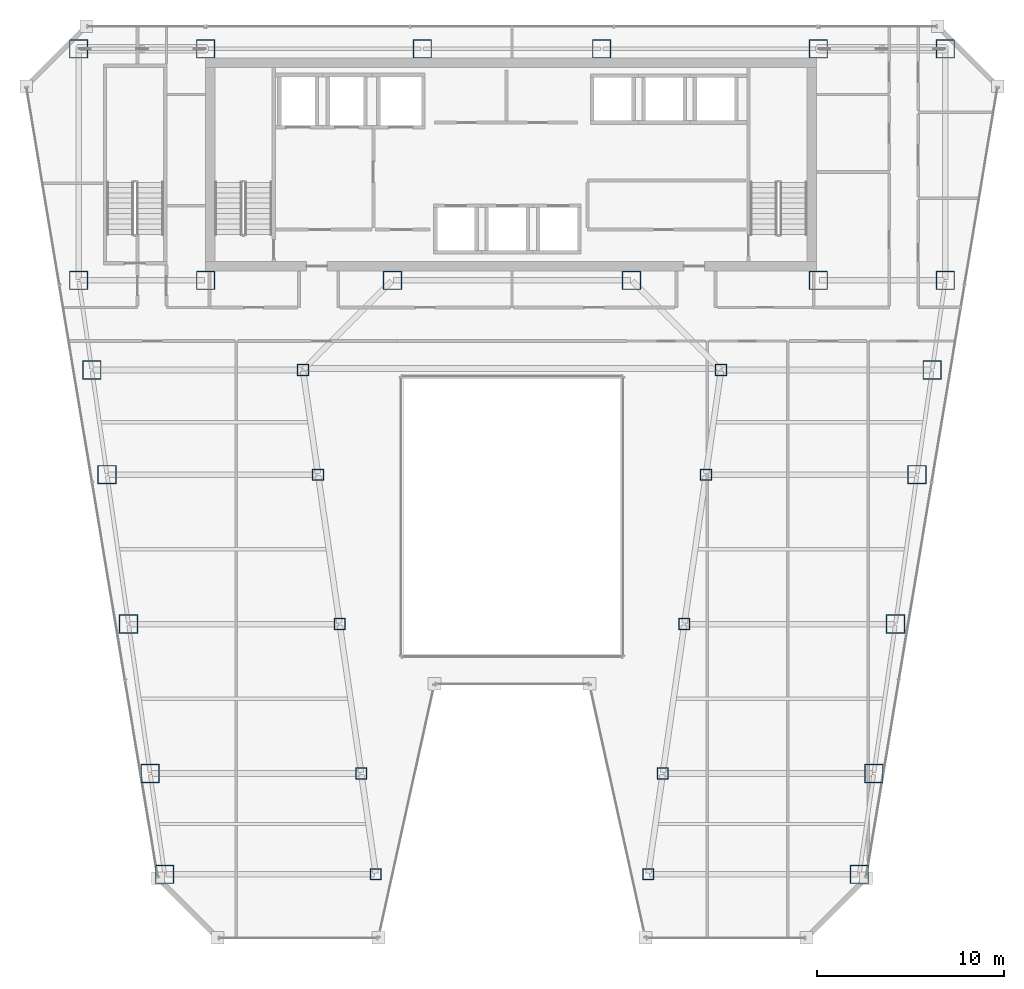
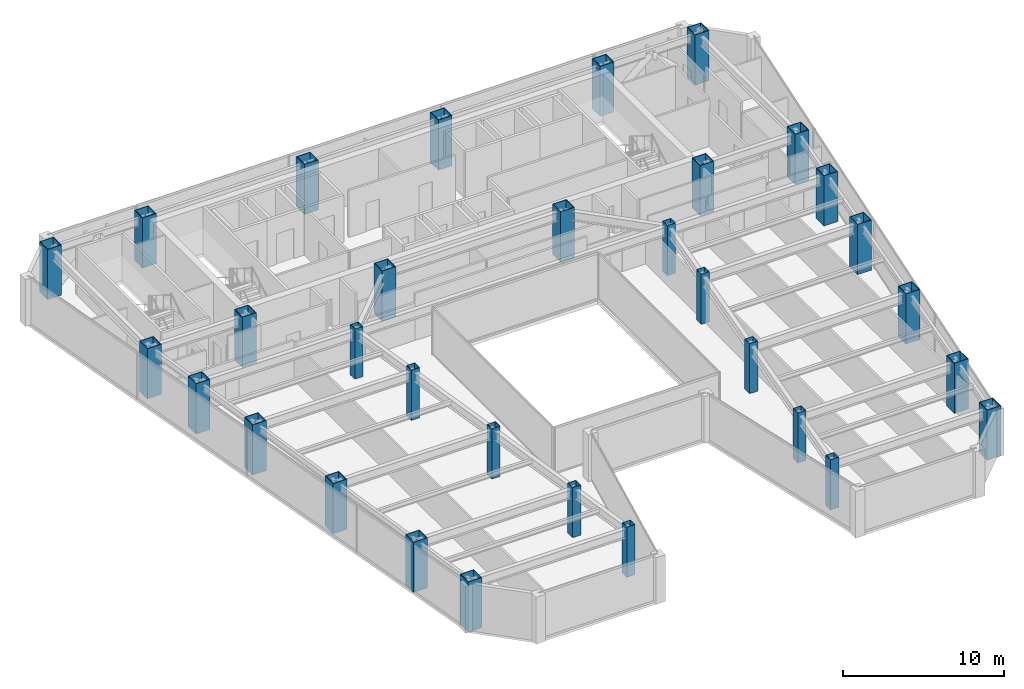
# One storey, part 1 of 36: 32 columns.
"""IFC4 building model written with IfcOpenShell, lengths in metres."""

from ifc_helpers import new_model, si_unit, direction, frame, origin, origin_2d, place, context, subcontext, project, spatial, hollow_rectangle, extrude, material, material_profile, profile_set, type_object, element, save


model = new_model("IFC4")

# Units and contexts
model_context = context("Model", 3, precision=1e-05, world=origin(), true_north=direction((0.0, 1.0)))
body_context = subcontext(model_context, "Body", "Model", "MODEL_VIEW")
ifc_project = project(units=[si_unit("LENGTHUNIT", "METRE"), si_unit("AREAUNIT", "SQUARE_METRE"), si_unit("VOLUMEUNIT", "CUBIC_METRE"), si_unit("PLANEANGLEUNIT", "RADIAN"), si_unit("MASSUNIT", "GRAM", prefix="KILO")], contexts=[model_context])

# Site, building, storey
site_placement = place(None, origin())
site = spatial("IfcSite", under=ifc_project, at=site_placement, CompositionType="ELEMENT")
building_placement = place(site_placement, origin())
building = spatial("IfcBuilding", under=site, at=building_placement, Name="Saevonmaru Cultural Tower", CompositionType="ELEMENT")
storey_placement = place(building_placement, frame((0.0, 0.0, 148.60009765625)))
storey = spatial("IfcBuildingStorey", under=building, at=storey_placement, Name="L32", CompositionType="ELEMENT", Elevation=148.60009765625)

# Columns
ifc_material_1 = material(Name="Steel SM420", Category="steel")
ifc_material_profile_1 = material_profile(ifc_material_1, hollow_rectangle(XDim=1.0, YDim=1.0, WallThickness=0.044921875, at=origin_2d()), Name="BOX-1000x1000x45")
ifc_profile_set_1 = profile_set([ifc_material_profile_1], Name="Steel SM420")
column_type_1 = type_object("IfcColumnType", Name="COL-BOX-1000", PredefinedType="COLUMN", material=ifc_profile_set_1)
for number, where, z_axis, x_axis, name in (
    (1, (6.800048828125, 54.800048828125, 0.0), (0.0, 0.0, 1.0), (1.0, 0.0, 0.0), "L32 Column TC-N1N"),
    (2, (13.60009765625, 54.800048828125, 0.0), (0.0, 0.0, 1.0), (1.0, 0.0, 0.0), "L32 Column TC-N2N"),
    (3, (25.199951171875, 54.800048828125, 0.0), (0.0, 0.0, 1.0), (1.0, 0.0, 0.0), "L32 Column TC-N3N"),
    (4, (34.800048828125, 54.800048828125, 0.0), (0.0, 0.0, 1.0), (1.0, 0.0, 0.0), "L32 Column TC-N4N"),
    (5, (46.39990234375, 54.800048828125, 0.0), (0.0, 0.0, 1.0), (1.0, 0.0, 0.0), "L32 Column TC-N5N"),
    (6, (53.199951171875, 54.800048828125, 0.0), (0.0, 0.0, 1.0), (1.0, 0.0, 0.0), "L32 Column TC-N6N"),
    (7, (6.800048828125, 42.39990234375, 0.0), (0.0, 0.0, 1.0), (1.0, 0.0, 0.0), "L32 Column TC-S1C"),
    (8, (13.60009765625, 42.39990234375, 0.0), (0.0, 0.0, 1.0), (1.0, 0.0, 0.0), "L32 Column TC-S2C"),
    (9, (23.60009765625, 42.39990234375, 0.0), (0.0, 0.0, 1.0), (1.0, 0.0, 0.0), "L32 Column TC-S3C"),
    (10, (36.39990234375, 42.39990234375, 0.0), (0.0, 0.0, 1.0), (1.0, 0.0, 0.0), "L32 Column TC-S4C"),
    (11, (46.39990234375, 42.39990234375, 0.0), (0.0, 0.0, 1.0), (1.0, 0.0, 0.0), "L32 Column TC-S5C"),
    (12, (53.199951171875, 42.39990234375, 0.0), (0.0, 0.0, 1.0), (1.0, 0.0, 0.0), "L32 Column TC-S6C"),
    (13, (11.407958984375, 10.60009765625, 0.0), (0.0, 0.0, 1.0), (1.0, 0.0, 0.0), "L32 Column TC-WO-Y106"),
    (14, (48.592041015625, 10.60009765625, 0.0), (0.0, 0.0, 1.0), (1.0, 0.0, 0.0), "L32 Column TC-EO-Y106"),
    (15, (10.6279296875, 16.0, 0.0), (0.0, 0.0, 1.0), (1.0, 0.0, 0.0), "L32 Column TC-WO-Y160"),
    (16, (49.3720703125, 16.0, 0.0), (0.0, 0.0, 1.0), (1.0, 0.0, 0.0), "L32 Column TC-EO-Y160"),
    (17, (9.471923828125, 24.0, 0.0), (0.0, 0.0, 1.0), (1.0, 0.0, 0.0), "L32 Column TC-WO-Y240"),
    (18, (50.528076171875, 24.0, 0.0), (0.0, 0.0, 1.0), (1.0, 0.0, 0.0), "L32 Column TC-EO-Y240"),
    (19, (8.31689453125, 32.0, 0.0), (0.0, 0.0, 1.0), (1.0, 0.0, 0.0), "L32 Column TC-WO-Y320"),
    (20, (51.68310546875, 32.0, 0.0), (0.0, 0.0, 1.0), (1.0, 0.0, 0.0), "L32 Column TC-EO-Y320"),
    (21, (7.508056640625, 37.60009765625, 0.0), (0.0, 0.0, 1.0), (1.0, 0.0, 0.0), "L32 Column TC-WO-Y376"),
    (22, (52.491943359375, 37.60009765625, 0.0), (0.0, 0.0, 1.0), (1.0, 0.0, 0.0), "L32 Column TC-EO-Y376"),
):
    element("IfcColumn", number, at=place(storey_placement, frame(where, z_axis=z_axis, x_axis=x_axis)), inside=storey, type_object=column_type_1, Name=name, PredefinedType="COLUMN", context=body_context, shape_type="SweptSolid", body=[
        extrude(hollow_rectangle(XDim=1.0, YDim=1.0, WallThickness=0.044921875, at=origin_2d()), origin(), (0.0, 0.0, 1.0), 3.7998046875),
    ])
ifc_material_2 = material(Name="Steel SM355", Category="steel")
ifc_material_profile_2 = material_profile(ifc_material_2, hollow_rectangle(XDim=0.60009765625, YDim=0.60009765625, WallThickness=0.028076171875, at=origin_2d()), Name="BOX-600x600x28")
ifc_profile_set_2 = profile_set([ifc_material_profile_2], Name="Steel SM355")
column_type_2 = type_object("IfcColumnType", Name="COL-BOX-600", PredefinedType="COLUMN", material=ifc_profile_set_2)
for number, where, z_axis, x_axis, name in (
    (23, (22.7080078125, 10.60009765625, 0.0), (0.0, 0.0, 1.0), (1.0, 0.0, 0.0), "L32 Column TC-WI-Y106"),
    (24, (37.2919921875, 10.60009765625, 0.0), (0.0, 0.0, 1.0), (1.0, 0.0, 0.0), "L32 Column TC-EI-Y106"),
    (25, (21.927978515625, 16.0, 0.0), (0.0, 0.0, 1.0), (1.0, 0.0, 0.0), "L32 Column TC-WI-Y160"),
    (26, (38.072021484375, 16.0, 0.0), (0.0, 0.0, 1.0), (1.0, 0.0, 0.0), "L32 Column TC-EI-Y160"),
    (27, (20.77197265625, 24.0, 0.0), (0.0, 0.0, 1.0), (1.0, 0.0, 0.0), "L32 Column TC-WI-Y240"),
    (28, (39.22802734375, 24.0, 0.0), (0.0, 0.0, 1.0), (1.0, 0.0, 0.0), "L32 Column TC-EI-Y240"),
    (29, (19.616943359375, 32.0, 0.0), (0.0, 0.0, 1.0), (1.0, 0.0, 0.0), "L32 Column TC-WI-Y320"),
    (30, (40.383056640625, 32.0, 0.0), (0.0, 0.0, 1.0), (1.0, 0.0, 0.0), "L32 Column TC-EI-Y320"),
    (31, (18.80810546875, 37.60009765625, 0.0), (0.0, 0.0, 1.0), (1.0, 0.0, 0.0), "L32 Column TC-WI-Y376"),
    (32, (41.19189453125, 37.60009765625, 0.0), (0.0, 0.0, 1.0), (1.0, 0.0, 0.0), "L32 Column TC-EI-Y376"),
):
    element("IfcColumn", number, at=place(storey_placement, frame(where, z_axis=z_axis, x_axis=x_axis)), inside=storey, type_object=column_type_2, Name=name, PredefinedType="COLUMN", context=body_context, shape_type="SweptSolid", body=[
        extrude(hollow_rectangle(XDim=0.60009765625, YDim=0.60009765625, WallThickness=0.028076171875, at=origin_2d()), origin(), (0.0, 0.0, 1.0), 3.7998046875),
    ])

save(model, "model.ifc")
